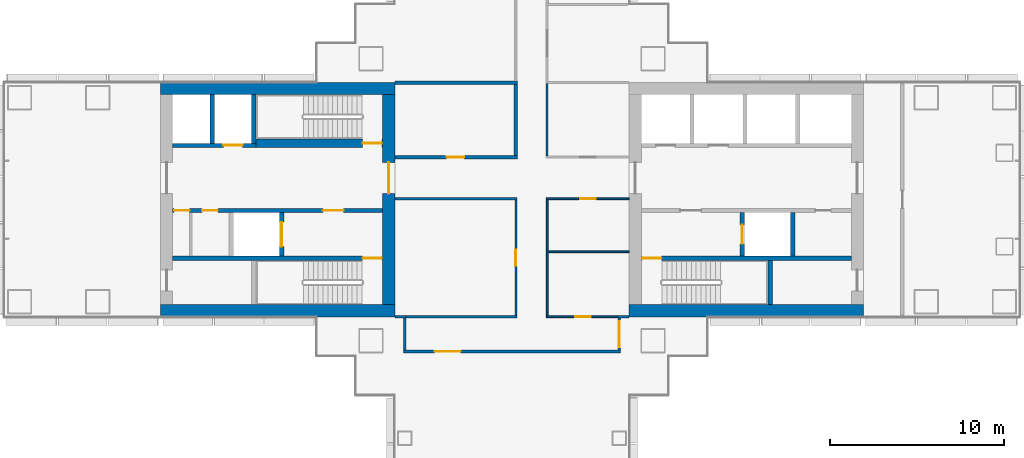
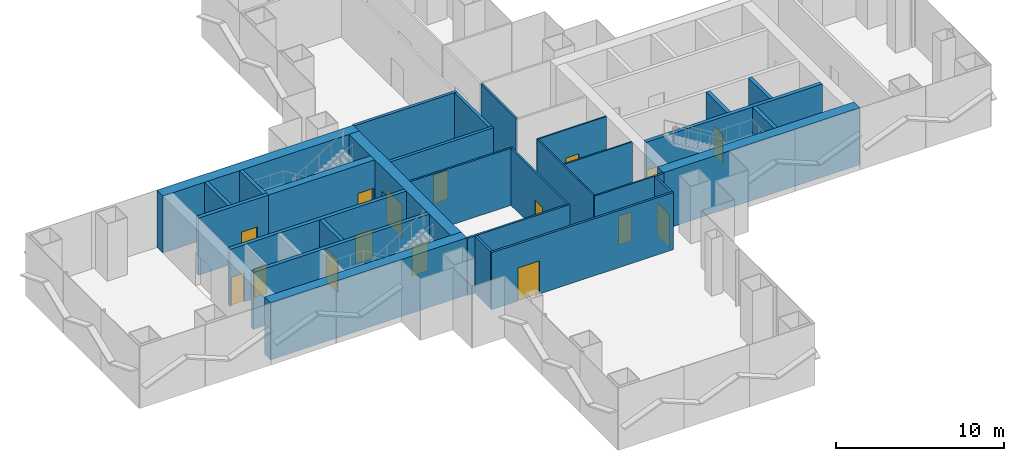
# One storey, part 14 of 22: 31 walls, 16 doors, 16 openings.
"""IFC4 building model written with IfcOpenShell, lengths in metres."""

from ifc_helpers import new_model, si_unit, direction, frame, frame_2d, origin, place, context, subcontext, project, spatial, rectangle, extrude, material, layer, layer_set, type_object, element, fill, save


model = new_model("IFC4")

# Units and contexts
model_context = context("Model", 3, precision=1e-05, world=origin(), true_north=direction((0.0, 1.0)))
body_context = subcontext(model_context, "Body", "Model", "MODEL_VIEW")
ifc_project = project(units=[si_unit("LENGTHUNIT", "METRE"), si_unit("AREAUNIT", "SQUARE_METRE"), si_unit("VOLUMEUNIT", "CUBIC_METRE"), si_unit("PLANEANGLEUNIT", "RADIAN"), si_unit("MASSUNIT", "GRAM", prefix="KILO")], contexts=[model_context])

# Site, building, storey
site_placement = place(None, origin())
site = spatial("IfcSite", under=ifc_project, at=site_placement, CompositionType="ELEMENT")
building_placement = place(site_placement, origin())
building = spatial("IfcBuilding", under=site, at=building_placement, Name="Shamsa Quay Exchange Towers", CompositionType="ELEMENT")
storey_placement = place(building_placement, frame((0.0, 0.0, 37.5)))
storey = spatial("IfcBuildingStorey", under=building, at=storey_placement, Name="L07", CompositionType="ELEMENT", Elevation=37.5)

# Walls
ifc_material_1 = material(Name="Concrete C80/95", Category="concrete")
ifc_layer_1 = layer(ifc_material_1, 0.699951171875)
ifc_layer_set_1 = layer_set([ifc_layer_1], Name="CORE WALL 700 C80/95")
wall_type_1 = type_object("IfcWallType", Name="CORE WALL 700 C80/95", PredefinedType="SHEAR", material=ifc_layer_set_1)
wall_1_placement = place(storey_placement, frame((-27.0, -6.39990234375, 0.0)))
element("IfcWall", 1, at=wall_1_placement, inside=storey, type_object=wall_type_1, Name="Core wall T1A-R02-PS", PredefinedType="SHEAR", context=body_context, shape_type="SweptSolid", body=[
    extrude(rectangle(XDim=13.5, YDim=0.699951171875, at=frame_2d((6.75, 0.0))), origin(), (0.0, 0.0, 1.0), 4.14990234375),
])
for number, where, z_axis, x_axis, name in (
    (2, (-40.5, -6.39990234375, 0.0), (0.0, 0.0, 1.0), (-1.0, 0.0, 0.0), "Core wall T1B-R02-PS"),
    (3, (-40.5, 6.39990234375, 0.0), (0.0, 0.0, 1.0), (-1.0, 0.0, 0.0), "Core wall T1B-R02-PN"),
):
    element("IfcWall", number, at=place(storey_placement, frame(where, z_axis=z_axis, x_axis=x_axis)), inside=storey, type_object=wall_type_1, Name=name, PredefinedType="SHEAR", context=body_context, shape_type="SweptSolid", body=[
        extrude(rectangle(XDim=13.5, YDim=0.699951171875, at=frame_2d((6.75, 0.0))), origin(), (0.0, 0.0, 1.0), 4.14990234375),
    ])

# Wall, opening, door
wall_2_placement = place(storey_placement, frame((-40.85009765625, -6.050048828125, 0.0), z_axis=(0.0, 0.0, 1.0), x_axis=(0.0, 1.0, 0.0)))
wall_2 = element("IfcWall", 4, at=wall_2_placement, inside=storey, type_object=wall_type_1, Name="Core wall T1B-R02-PF", PredefinedType="SHEAR", context=body_context, shape_type="SweptSolid", body=[
    extrude(rectangle(XDim=12.10009765625, YDim=0.699951171875, at=frame_2d((6.050048828125, 0.0))), origin(), (0.0, 0.0, 1.0), 4.14990234375),
])
opening_1_placement = place(wall_2_placement, frame((6.39990234375, 0.0, 0.0)))
opening_1 = element("IfcOpeningElement", 5, at=opening_1_placement, cuts=wall_2, Name="Opening T1B-R02-LBD01", PredefinedType="OPENING", context=body_context, shape_type="SweptSolid", body=[
    extrude(rectangle(XDim=1.800048828125, YDim=2.39990234375, at=frame_2d((0.89990234375, 1.199951171875))), frame((0.0, 0.35986328125, 0.0), z_axis=(0.0, -1.0, 0.0), x_axis=(1.0, 0.0, 0.0)), (0.0, 0.0, 1.0), 0.719970703125),
])
ifc_material_2 = material(Name="Steel, fire rated", Category="steel")
door_type_1 = type_object("IfcDoorType", Name="LIFT LOBBY DOOR PAIR 1800", OperationType="DOUBLE_DOOR_SINGLE_SWING", PredefinedType="DOOR", material=ifc_material_2)
door_1_placement = place(opening_1_placement, origin())
door_1 = element("IfcDoor", 6, at=door_1_placement, inside=storey, type_object=door_type_1, Name="T1B-R02-LBD01", OperationType="DOUBLE_DOOR_SINGLE_SWING", OverallHeight=2.39990234375, OverallWidth=1.800048828125, PredefinedType="DOOR", context=body_context, shape_type="SweptSolid", body=[
    extrude(rectangle(XDim=1.800048828125, YDim=2.39990234375, at=frame_2d((0.89990234375, 1.199951171875))), frame((0.0, 0.02490234375, 0.0), z_axis=(0.0, -1.0, 0.0), x_axis=(1.0, 0.0, 0.0)), (0.0, 0.0, 1.0), 0.050048828125),
])
fill(opening_1, door_1)

# Walls
ifc_material_3 = material(Name="Laminated fire-resisting glass in a metal frame", Category="glass")
ifc_layer_2 = layer(ifc_material_3, 0.125)
ifc_layer_set_2 = layer_set([ifc_layer_2], Name="Glazed partition 125 mm EI 60")
wall_type_2 = type_object("IfcWallType", Name="Glazed partition 125 mm EI 60", PredefinedType="PARTITIONING", material=ifc_layer_set_2)
wall_3_placement = place(storey_placement, frame((-31.724609375, 6.6875, 0.0), z_axis=(0.0, 0.0, 1.0), x_axis=(0.0, -1.0, 0.0)))
element("IfcWall", 7, at=wall_3_placement, inside=storey, type_object=wall_type_2, Name="Partition T1-R02-W02", PredefinedType="PARTITIONING", context=body_context, shape_type="SweptSolid", body=[
    extrude(rectangle(XDim=4.1748046875, YDim=0.125, at=frame_2d((2.08740234375, 0.0))), origin(), (0.0, 0.0, 1.0), 4.14990234375),
])
wall_4_placement = place(storey_placement, frame((-39.999755859375, -6.75, 0.0)))
element("IfcWall", 8, at=wall_4_placement, inside=storey, type_object=wall_type_2, Name="Partition T1-R02-W09", PredefinedType="PARTITIONING", context=body_context, shape_type="SweptSolid", body=[
    extrude(rectangle(XDim=6.536865234375, YDim=0.125, at=frame_2d((3.2685546875, 0.0))), origin(), (0.0, 0.0, 1.0), 4.14990234375),
])

# Wall, opening, door
wall_5_placement = place(storey_placement, frame((-33.525390625, -6.6875, 0.0), z_axis=(0.0, 0.0, 1.0), x_axis=(0.0, 1.0, 0.0)))
wall_5 = element("IfcWall", 9, at=wall_5_placement, inside=storey, type_object=wall_type_2, Name="Partition T1-R02-W10", PredefinedType="PARTITIONING", context=body_context, shape_type="SweptSolid", body=[
    extrude(rectangle(XDim=6.6748046875, YDim=0.125, at=frame_2d((3.33740234375, 0.0))), origin(), (0.0, 0.0, 1.0), 4.14990234375),
])
opening_2_placement = place(wall_5_placement, frame((2.887451171875, 0.0, 0.0)))
opening_2 = element("IfcOpeningElement", 10, at=opening_2_placement, cuts=wall_5, Name="Opening T1-R02-D03", PredefinedType="OPENING", context=body_context, shape_type="SweptSolid", body=[
    extrude(rectangle(XDim=0.89990234375, YDim=2.10009765625, at=frame_2d((0.449951171875, 1.050048828125))), frame((0.0, 0.072509765625, 0.0), z_axis=(0.0, -1.0, 0.0), x_axis=(1.0, 0.0, 0.0)), (0.0, 0.0, 1.0), 0.14501953125),
])
ifc_material_4 = material(Name="Timber door leaf in a metal frame", Category="wood")
door_type_2 = type_object("IfcDoorType", Name="Door 900x2100 FD30S", OperationType="NOTDEFINED", PredefinedType="DOOR", material=ifc_material_4)
door_2_placement = place(opening_2_placement, origin())
door_2 = element("IfcDoor", 11, at=door_2_placement, inside=storey, type_object=door_type_2, Name="Door T1-R02-D03", OperationType="SINGLE_SWING_RIGHT", OverallHeight=2.10009765625, OverallWidth=0.89990234375, PredefinedType="DOOR", context=body_context, shape_type="SweptSolid", body=[
    extrude(rectangle(XDim=0.89990234375, YDim=2.10009765625, at=frame_2d((0.449951171875, 1.050048828125))), frame((0.0, 0.02490234375, 0.0), z_axis=(0.0, -1.0, 0.0), x_axis=(1.0, 0.0, 0.0)), (0.0, 0.0, 1.0), 0.050048828125),
])
fill(opening_2, door_2)

# Walls
wall_6_placement = place(storey_placement, frame((-33.462890625, 0.0498046875, 0.0), z_axis=(0.0, 0.0, 1.0), x_axis=(-1.0, 0.0, 0.0)))
element("IfcWall", 12, at=wall_6_placement, inside=storey, type_object=wall_type_2, Name="Partition T1-R02-W12", PredefinedType="PARTITIONING", context=body_context, shape_type="SweptSolid", body=[
    extrude(rectangle(XDim=7.037109375, YDim=0.125, at=frame_2d((3.5185546875, 0.0))), origin(), (0.0, 0.0, 1.0), 4.14990234375),
])
ifc_material_5 = material(Name="Gypsum board partition on metal studs")
ifc_layer_3 = layer(ifc_material_5, 0.10009765625)
ifc_layer_set_3 = layer_set([ifc_layer_3], Name="Partition 100 mm NOT RATED")
wall_type_3 = type_object("IfcWallType", Name="Partition 100 mm NOT RATED", PredefinedType="PARTITIONING", material=ifc_layer_set_3)
wall_7_placement = place(storey_placement, frame((-31.724609375, -0.000244140625, 0.0), z_axis=(0.0, 0.0, 1.0), x_axis=(0.0, -1.0, 0.0)))
element("IfcWall", 13, at=wall_7_placement, inside=storey, type_object=wall_type_3, Name="Partition T1-R02-W04", PredefinedType="PARTITIONING", context=body_context, shape_type="SweptSolid", body=[
    extrude(rectangle(XDim=6.69970703125, YDim=0.10009765625, at=frame_2d((3.349853515625, 0.0))), origin(), (0.0, 0.0, 1.0), 4.14990234375),
])

# Wall, opening, door
wall_8_placement = place(storey_placement, frame((-31.774658203125, -6.75, 0.0)))
wall_8 = element("IfcWall", 14, at=wall_8_placement, inside=storey, type_object=wall_type_3, Name="Partition T1-R02-W05", PredefinedType="PARTITIONING", context=body_context, shape_type="SweptSolid", body=[
    extrude(rectangle(XDim=4.2744140625, YDim=0.10009765625, at=frame_2d((2.13720703125, 0.0))), origin(), (0.0, 0.0, 1.0), 4.14990234375),
])
opening_3_placement = place(wall_8_placement, frame((1.6748046875, 0.0, 0.0)))
opening_3 = element("IfcOpeningElement", 15, at=opening_3_placement, cuts=wall_8, Name="Opening T1-R02-D06", PredefinedType="OPENING", context=body_context, shape_type="SweptSolid", body=[
    extrude(rectangle(XDim=0.89990234375, YDim=2.10009765625, at=frame_2d((0.449951171875, 1.050048828125))), frame((0.0, 0.06005859375, 0.0), z_axis=(0.0, -1.0, 0.0), x_axis=(1.0, 0.0, 0.0)), (0.0, 0.0, 1.0), 0.1201171875),
])
door_type_3 = type_object("IfcDoorType", Name="Door 900x2100 NOT RATED", OperationType="NOTDEFINED", PredefinedType="DOOR", material=ifc_material_4)
door_3_placement = place(opening_3_placement, origin())
door_3 = element("IfcDoor", 16, at=door_3_placement, inside=storey, type_object=door_type_3, Name="Door T1-R02-D06", OperationType="SINGLE_SWING_RIGHT", OverallHeight=2.10009765625, OverallWidth=0.89990234375, PredefinedType="DOOR", context=body_context, shape_type="SweptSolid", body=[
    extrude(rectangle(XDim=0.89990234375, YDim=2.10009765625, at=frame_2d((0.449951171875, 1.050048828125))), frame((0.0, 0.02490234375, 0.0), z_axis=(0.0, -1.0, 0.0), x_axis=(1.0, 0.0, 0.0)), (0.0, 0.0, 1.0), 0.050048828125),
])
fill(opening_3, door_3)

wall_9_placement = place(storey_placement, frame((-27.0, 0.0498046875, 0.0), z_axis=(0.0, 0.0, 1.0), x_axis=(-1.0, 0.0, 0.0)))
wall_9 = element("IfcWall", 17, at=wall_9_placement, inside=storey, type_object=wall_type_3, Name="Partition T1-R02-W06", PredefinedType="PARTITIONING", context=body_context, shape_type="SweptSolid", body=[
    extrude(rectangle(XDim=4.774658203125, YDim=0.10009765625, at=frame_2d((2.38720703125, 0.0))), origin(), (0.0, 0.0, 1.0), 4.14990234375),
])
opening_4_placement = place(wall_9_placement, frame((1.912353515625, 0.0, 0.0)))
opening_4 = element("IfcOpeningElement", 18, at=opening_4_placement, cuts=wall_9, Name="Opening T1-R02-D11", PredefinedType="OPENING", context=body_context, shape_type="SweptSolid", body=[
    extrude(rectangle(XDim=0.89990234375, YDim=2.10009765625, at=frame_2d((0.449951171875, 1.050048828125))), frame((0.0, 0.06005859375, 0.0), z_axis=(0.0, -1.0, 0.0), x_axis=(1.0, 0.0, 0.0)), (0.0, 0.0, 1.0), 0.1201171875),
])
door_4_placement = place(opening_4_placement, origin())
door_4 = element("IfcDoor", 19, at=door_4_placement, inside=storey, type_object=door_type_3, Name="Door T1-R02-D11", OperationType="SINGLE_SWING_LEFT", OverallHeight=2.10009765625, OverallWidth=0.89990234375, PredefinedType="DOOR", context=body_context, shape_type="SweptSolid", body=[
    extrude(rectangle(XDim=0.89990234375, YDim=2.10009765625, at=frame_2d((0.449951171875, 1.050048828125))), frame((0.0, 0.02490234375, 0.0), z_axis=(0.0, -1.0, 0.0), x_axis=(1.0, 0.0, 0.0)), (0.0, 0.0, 1.0), 0.050048828125),
])
fill(opening_4, door_4)

# Wall
wall_10_placement = place(storey_placement, frame((-27.0, -3.0, 0.0), z_axis=(0.0, 0.0, 1.0), x_axis=(-1.0, 0.0, 0.0)))
element("IfcWall", 20, at=wall_10_placement, inside=storey, type_object=wall_type_3, Name="Partition T1-R02-W20", PredefinedType="PARTITIONING", context=body_context, shape_type="SweptSolid", body=[
    extrude(rectangle(XDim=4.674560546875, YDim=0.10009765625, at=frame_2d((2.33740234375, 0.0))), origin(), (0.0, 0.0, 1.0), 4.14990234375),
])

# Wall, opening, door
ifc_layer_4 = layer(ifc_material_5, 0.14990234375)
ifc_layer_set_4 = layer_set([ifc_layer_4], Name="Partition 150 mm EI 60")
wall_type_4 = type_object("IfcWallType", Name="Partition 150 mm EI 60", PredefinedType="PARTITIONING", material=ifc_layer_set_4)
wall_11_placement = place(storey_placement, frame((-27.5751953125, -8.675048828125, 0.0), z_axis=(0.0, 0.0, 1.0), x_axis=(0.0, 1.0, 0.0)))
wall_11 = element("IfcWall", 21, at=wall_11_placement, inside=storey, type_object=wall_type_4, Name="Partition T1-R02-W15", PredefinedType="PARTITIONING", context=body_context, shape_type="SweptSolid", body=[
    extrude(rectangle(XDim=1.85009765625, YDim=0.14990234375, at=frame_2d((0.925048828125, 0.0))), origin(), (0.0, 0.0, 1.0), 4.14990234375),
])
opening_5_placement = place(wall_11_placement, frame((0.175048828125, 0.0, 0.0)))
opening_5 = element("IfcOpeningElement", 22, at=opening_5_placement, cuts=wall_11, Name="Opening T1-R02-D10", PredefinedType="OPENING", context=body_context, shape_type="SweptSolid", body=[
    extrude(rectangle(XDim=1.5, YDim=2.39990234375, at=frame_2d((0.75, 1.199951171875))), frame((0.0, 0.0849609375, 0.0), z_axis=(0.0, -1.0, 0.0), x_axis=(1.0, 0.0, 0.0)), (0.0, 0.0, 1.0), 0.169921875),
])
door_type_4 = type_object("IfcDoorType", Name="Door 1500x2400 FD30S pair", OperationType="NOTDEFINED", PredefinedType="DOOR", material=ifc_material_4)
door_5_placement = place(opening_5_placement, origin())
door_5 = element("IfcDoor", 23, at=door_5_placement, inside=storey, type_object=door_type_4, Name="Door T1-R02-D10", OperationType="DOUBLE_DOOR_SINGLE_SWING", OverallHeight=2.39990234375, OverallWidth=1.5, PredefinedType="DOOR", context=body_context, shape_type="SweptSolid", body=[
    extrude(rectangle(XDim=1.5, YDim=2.39990234375, at=frame_2d((0.75, 1.199951171875))), frame((0.0, 0.02490234375, 0.0), z_axis=(0.0, -1.0, 0.0), x_axis=(1.0, 0.0, 0.0)), (0.0, 0.0, 1.0), 0.050048828125),
])
fill(opening_5, door_5)

wall_12_placement = place(storey_placement, frame((-39.999755859375, -8.75, 0.0)))
wall_12 = element("IfcWall", 24, at=wall_12_placement, inside=storey, type_object=wall_type_4, Name="Partition T1-R02-W16", PredefinedType="PARTITIONING", context=body_context, shape_type="SweptSolid", body=[
    extrude(rectangle(XDim=12.49951171875, YDim=0.14990234375, at=frame_2d((6.249755859375, 0.0))), origin(), (0.0, 0.0, 1.0), 4.14990234375),
])
opening_6_placement = place(wall_12_placement, frame((1.794921875, 0.0, 0.0)))
opening_6 = element("IfcOpeningElement", 25, at=opening_6_placement, cuts=wall_12, Name="Opening T1-R02-D02", PredefinedType="OPENING", context=body_context, shape_type="SweptSolid", body=[
    extrude(rectangle(XDim=1.5, YDim=2.39990234375, at=frame_2d((0.75, 1.199951171875))), frame((0.0, 0.0849609375, 0.0), z_axis=(0.0, -1.0, 0.0), x_axis=(1.0, 0.0, 0.0)), (0.0, 0.0, 1.0), 0.169921875),
])
door_6_placement = place(opening_6_placement, origin())
door_6 = element("IfcDoor", 26, at=door_6_placement, inside=storey, type_object=door_type_4, Name="Door T1-R02-D02", OperationType="DOUBLE_DOOR_SINGLE_SWING", OverallHeight=2.39990234375, OverallWidth=1.5, PredefinedType="DOOR", context=body_context, shape_type="SweptSolid", body=[
    extrude(rectangle(XDim=1.5, YDim=2.39990234375, at=frame_2d((0.75, 1.199951171875))), frame((0.0, 0.02490234375, 0.0), z_axis=(0.0, -1.0, 0.0), x_axis=(1.0, 0.0, 0.0)), (0.0, 0.0, 1.0), 0.050048828125),
])
fill(opening_6, door_6)

# Walls
wall_13_placement = place(storey_placement, frame((-39.9248046875, -6.824951171875, 0.0), z_axis=(0.0, 0.0, 1.0), x_axis=(0.0, -1.0, 0.0)))
element("IfcWall", 27, at=wall_13_placement, inside=storey, type_object=wall_type_4, Name="Partition T1-R02-W17", PredefinedType="PARTITIONING", context=body_context, shape_type="SweptSolid", body=[
    extrude(rectangle(XDim=1.85009765625, YDim=0.14990234375, at=frame_2d((0.925048828125, 0.0))), origin(), (0.0, 0.0, 1.0), 4.14990234375),
])
for number, where, name in (
    (28, (-40.5, -6.75, 0.0), "Partition T1-R02-W21"),
    (29, (-27.650146484375, -6.75, 0.0), "Partition T1-R02-W22"),
):
    element("IfcWall", number, at=place(storey_placement, frame(where)), inside=storey, type_object=wall_type_4, Name=name, PredefinedType="PARTITIONING", context=body_context, shape_type="SweptSolid", body=[
        extrude(rectangle(XDim=0.650146484375, YDim=0.14990234375, at=frame_2d((0.3251953125, 0.0))), origin(), (0.0, 0.0, 1.0), 4.14990234375),
    ])

# Wall, opening, door
ifc_layer_5 = layer(ifc_material_5, 0.199951171875)
ifc_layer_set_5 = layer_set([ifc_layer_5], Name="Partition 200 mm EI 120")
wall_type_5 = type_object("IfcWallType", Name="Partition 200 mm EI 120", PredefinedType="PARTITIONING", material=ifc_layer_set_5)
wall_14_placement = place(storey_placement, frame((-40.5, 2.4501953125, 0.0)))
wall_14 = element("IfcWall", 30, at=wall_14_placement, inside=storey, type_object=wall_type_5, Name="Partition T1-R02-W07", PredefinedType="PARTITIONING", context=body_context, shape_type="SweptSolid", body=[
    extrude(rectangle(XDim=7.07470703125, YDim=0.199951171875, at=frame_2d((3.537353515625, 0.0))), origin(), (0.0, 0.0, 1.0), 4.14990234375),
])
opening_7_placement = place(wall_14_placement, frame((2.9873046875, 0.0, 0.0)))
opening_7 = element("IfcOpeningElement", 31, at=opening_7_placement, cuts=wall_14, Name="Opening T1-R02-D01", PredefinedType="OPENING", context=body_context, shape_type="SweptSolid", body=[
    extrude(rectangle(XDim=1.0, YDim=2.10009765625, at=frame_2d((0.5, 1.050048828125))), frame((0.0, 0.10986328125, 0.0), z_axis=(0.0, -1.0, 0.0), x_axis=(1.0, 0.0, 0.0)), (0.0, 0.0, 1.0), 0.219970703125),
])
door_type_5 = type_object("IfcDoorType", Name="Door 1000x2100 FD60", OperationType="NOTDEFINED", PredefinedType="DOOR", material=ifc_material_4)
door_7_placement = place(opening_7_placement, origin())
door_7 = element("IfcDoor", 32, at=door_7_placement, inside=storey, type_object=door_type_5, Name="Door T1-R02-D01", OperationType="SINGLE_SWING_LEFT", OverallHeight=2.10009765625, OverallWidth=1.0, PredefinedType="DOOR", context=body_context, shape_type="SweptSolid", body=[
    extrude(rectangle(XDim=1.0, YDim=2.10009765625, at=frame_2d((0.5, 1.050048828125))), frame((0.0, 0.02490234375, 0.0), z_axis=(0.0, -1.0, 0.0), x_axis=(1.0, 0.0, 0.0)), (0.0, 0.0, 1.0), 0.050048828125),
])
fill(opening_7, door_7)

# Walls
wall_15_placement = place(storey_placement, frame((-33.525390625, 2.55029296875, 0.0), z_axis=(0.0, 0.0, 1.0), x_axis=(0.0, 1.0, 0.0)))
element("IfcWall", 33, at=wall_15_placement, inside=storey, type_object=wall_type_5, Name="Partition T1-R02-W08", PredefinedType="PARTITIONING", context=body_context, shape_type="SweptSolid", body=[
    extrude(rectangle(XDim=4.099609375, YDim=0.199951171875, at=frame_2d((2.0498046875, 0.0))), origin(), (0.0, 0.0, 1.0), 4.14990234375),
])
wall_16_placement = place(storey_placement, frame((-33.42529296875, 6.75, 0.0), z_axis=(0.0, 0.0, 1.0), x_axis=(-1.0, 0.0, 0.0)))
element("IfcWall", 34, at=wall_16_placement, inside=storey, type_object=wall_type_5, Name="Partition T1-R02-W23", PredefinedType="PARTITIONING", context=body_context, shape_type="SweptSolid", body=[
    extrude(rectangle(XDim=7.07470703125, YDim=0.199951171875, at=frame_2d((3.537353515625, 0.0))), origin(), (0.0, 0.0, 1.0), 4.14990234375),
])

# Wall, opening, door
ifc_material_6 = material(Name="Concrete C50/60", Category="concrete")
ifc_layer_6 = layer(ifc_material_6, 0.25)
ifc_layer_set_6 = layer_set([ifc_layer_6], Name="SHAFT WALL 250 C50/60")
wall_type_6 = type_object("IfcWallType", Name="SHAFT WALL 250 C50/60", PredefinedType="SHEAR", material=ifc_layer_set_6)
wall_17_placement = place(storey_placement, frame((-14.199951171875, -3.375, 0.0), z_axis=(0.0, 0.0, 1.0), x_axis=(-1.0, 0.0, 0.0)))
wall_17 = element("IfcWall", 35, at=wall_17_placement, inside=storey, type_object=wall_type_6, Name="Shaft wall T1A-R02-STL", PredefinedType="SHEAR", context=body_context, shape_type="SweptSolid", body=[
    extrude(rectangle(XDim=12.10009765625, YDim=0.25, at=frame_2d((6.050048828125, 0.0))), origin(), (0.0, 0.0, 1.0), 4.14990234375),
])
opening_8_placement = place(wall_17_placement, frame((10.949951171875, 0.0, 0.0)))
opening_8 = element("IfcOpeningElement", 36, at=opening_8_placement, cuts=wall_17, Name="Opening T1A-R02-SD04", PredefinedType="OPENING", context=body_context, shape_type="SweptSolid", body=[
    extrude(rectangle(XDim=1.10009765625, YDim=2.10009765625, at=frame_2d((0.550048828125, 1.050048828125))), frame((0.0, 0.135009765625, 0.0), z_axis=(0.0, -1.0, 0.0), x_axis=(1.0, 0.0, 0.0)), (0.0, 0.0, 1.0), 0.27001953125),
])
door_type_6 = type_object("IfcDoorType", Name="STAIR DOOR 1100", OperationType="SINGLE_SWING_LEFT", PredefinedType="DOOR", material=ifc_material_2)
door_8_placement = place(opening_8_placement, origin())
door_8 = element("IfcDoor", 37, at=door_8_placement, inside=storey, type_object=door_type_6, Name="T1A-R02-SD04", OperationType="SINGLE_SWING_RIGHT", OverallHeight=2.10009765625, OverallWidth=1.10009765625, PredefinedType="DOOR", context=body_context, shape_type="SweptSolid", body=[
    extrude(rectangle(XDim=1.10009765625, YDim=2.10009765625, at=frame_2d((0.550048828125, 1.050048828125))), frame((0.0, 0.02490234375, 0.0), z_axis=(0.0, -1.0, 0.0), x_axis=(1.0, 0.0, 0.0)), (0.0, 0.0, 1.0), 0.050048828125),
])
fill(opening_8, door_8)

# Wall
wall_18_placement = place(storey_placement, frame((-18.875, -6.050048828125, 0.0), z_axis=(0.0, 0.0, 1.0), x_axis=(0.0, 1.0, 0.0)))
element("IfcWall", 38, at=wall_18_placement, inside=storey, type_object=wall_type_6, Name="Shaft wall T1A-R02-STF", PredefinedType="SHEAR", context=body_context, shape_type="SweptSolid", body=[
    extrude(rectangle(XDim=2.550048828125, YDim=0.25, at=frame_2d((1.27490234375, 0.0))), origin(), (0.0, 0.0, 1.0), 4.14990234375),
])

# Wall, opening, door
wall_19_placement = place(storey_placement, frame((-20.47509765625, -3.25, 0.0), z_axis=(0.0, 0.0, 1.0), x_axis=(0.0, 1.0, 0.0)))
wall_19 = element("IfcWall", 39, at=wall_19_placement, inside=storey, type_object=wall_type_6, Name="Shaft wall T1A-R02-FFF", PredefinedType="SHEAR", context=body_context, shape_type="SweptSolid", body=[
    extrude(rectangle(XDim=2.5, YDim=0.25, at=frame_2d((1.25, 0.0))), origin(), (0.0, 0.0, 1.0), 4.14990234375),
])
opening_9_placement = place(wall_19_placement, frame((0.699951171875, 0.0, 0.0)))
opening_9 = element("IfcOpeningElement", 40, at=opening_9_placement, cuts=wall_19, Name="Opening T1A-R02-LDF07", PredefinedType="OPENING", context=body_context, shape_type="SweptSolid", body=[
    extrude(rectangle(XDim=1.10009765625, YDim=2.10009765625, at=frame_2d((0.550048828125, 1.050048828125))), frame((0.0, 0.135009765625, 0.0), z_axis=(0.0, -1.0, 0.0), x_axis=(1.0, 0.0, 0.0)), (0.0, 0.0, 1.0), 0.27001953125),
])
door_type_7 = type_object("IfcDoorType", Name="FIRE SERVICE LANDING DOOR 1100", OperationType="SLIDING_TO_LEFT", PredefinedType="DOOR", material=ifc_material_2)
door_9_placement = place(opening_9_placement, origin())
door_9 = element("IfcDoor", 41, at=door_9_placement, inside=storey, type_object=door_type_7, Name="T1A-R02-LDF07", OperationType="SLIDING_TO_LEFT", OverallHeight=2.10009765625, OverallWidth=1.10009765625, PredefinedType="DOOR", context=body_context, shape_type="SweptSolid", body=[
    extrude(rectangle(XDim=1.10009765625, YDim=2.10009765625, at=frame_2d((0.550048828125, 1.050048828125))), frame((0.0, 0.02490234375, 0.0), z_axis=(0.0, -1.0, 0.0), x_axis=(1.0, 0.0, 0.0)), (0.0, 0.0, 1.0), 0.050048828125),
])
fill(opening_9, door_9)

# Wall
wall_20_placement = place(storey_placement, frame((-17.574951171875, -3.25, 0.0), z_axis=(0.0, 0.0, 1.0), x_axis=(0.0, 1.0, 0.0)))
element("IfcWall", 42, at=wall_20_placement, inside=storey, type_object=wall_type_6, Name="Shaft wall T1A-R02-FFB", PredefinedType="SHEAR", context=body_context, shape_type="SweptSolid", body=[
    extrude(rectangle(XDim=2.5, YDim=0.25, at=frame_2d((1.25, 0.0))), origin(), (0.0, 0.0, 1.0), 4.14990234375),
])

# Wall, opening, door
wall_21_placement = place(storey_placement, frame((-41.199951171875, -3.375, 0.0), z_axis=(0.0, 0.0, 1.0), x_axis=(-1.0, 0.0, 0.0)))
wall_21 = element("IfcWall", 43, at=wall_21_placement, inside=storey, type_object=wall_type_6, Name="Shaft wall T1B-R02-STL", PredefinedType="SHEAR", context=body_context, shape_type="SweptSolid", body=[
    extrude(rectangle(XDim=12.10009765625, YDim=0.25, at=frame_2d((6.050048828125, 0.0))), origin(), (0.0, 0.0, 1.0), 4.14990234375),
])
opening_10_placement = place(wall_21_placement, frame((0.050048828125, 0.0, 0.0)))
opening_10 = element("IfcOpeningElement", 44, at=opening_10_placement, cuts=wall_21, Name="Opening T1B-R02-SD04", PredefinedType="OPENING", context=body_context, shape_type="SweptSolid", body=[
    extrude(rectangle(XDim=1.10009765625, YDim=2.10009765625, at=frame_2d((0.550048828125, 1.050048828125))), frame((0.0, 0.135009765625, 0.0), z_axis=(0.0, -1.0, 0.0), x_axis=(1.0, 0.0, 0.0)), (0.0, 0.0, 1.0), 0.27001953125),
])
door_10_placement = place(opening_10_placement, origin())
door_10 = element("IfcDoor", 45, at=door_10_placement, inside=storey, type_object=door_type_6, Name="T1B-R02-SD04", OperationType="SINGLE_SWING_LEFT", OverallHeight=2.10009765625, OverallWidth=1.10009765625, PredefinedType="DOOR", context=body_context, shape_type="SweptSolid", body=[
    extrude(rectangle(XDim=1.10009765625, YDim=2.10009765625, at=frame_2d((0.550048828125, 1.050048828125))), frame((0.0, 0.02490234375, 0.0), z_axis=(0.0, -1.0, 0.0), x_axis=(1.0, 0.0, 0.0)), (0.0, 0.0, 1.0), 0.050048828125),
])
fill(opening_10, door_10)

# Wall, openings, doors
wall_22_placement = place(storey_placement, frame((-41.199951171875, -0.625, 0.0), z_axis=(0.0, 0.0, 1.0), x_axis=(-1.0, 0.0, 0.0)))
wall_22 = element("IfcWall", 46, at=wall_22_placement, inside=storey, type_object=wall_type_6, Name="Shaft wall T1B-R02-B", PredefinedType="SHEAR", context=body_context, shape_type="SweptSolid", body=[
    extrude(rectangle(XDim=12.10009765625, YDim=0.25, at=frame_2d((6.050048828125, 0.0))), origin(), (0.0, 0.0, 1.0), 4.14990234375),
])
opening_11_placement = place(wall_22_placement, frame((2.25, 0.0, 0.0)))
opening_11 = element("IfcOpeningElement", 47, at=opening_11_placement, cuts=wall_22, Name="Opening T1B-R02-FD05", PredefinedType="OPENING", context=body_context, shape_type="SweptSolid", body=[
    extrude(rectangle(XDim=1.199951171875, YDim=2.10009765625, at=frame_2d((0.60009765625, 1.050048828125))), frame((0.0, 0.135009765625, 0.0), z_axis=(0.0, -1.0, 0.0), x_axis=(1.0, 0.0, 0.0)), (0.0, 0.0, 1.0), 0.27001953125),
])
opening_12_placement = place(wall_22_placement, frame((9.5, 0.0, 0.0)))
opening_12 = element("IfcOpeningElement", 48, at=opening_12_placement, cuts=wall_22, Name="Opening T1B-R02-SV06", PredefinedType="OPENING", context=body_context, shape_type="SweptSolid", body=[
    extrude(rectangle(XDim=0.89990234375, YDim=2.10009765625, at=frame_2d((0.449951171875, 1.050048828125))), frame((0.0, 0.135009765625, 0.0), z_axis=(0.0, -1.0, 0.0), x_axis=(1.0, 0.0, 0.0)), (0.0, 0.0, 1.0), 0.27001953125),
])
opening_13_placement = place(wall_22_placement, frame((11.125, 0.0, 0.0)))
opening_13 = element("IfcOpeningElement", 49, at=opening_13_placement, cuts=wall_22, Name="Opening T1B-R02-SV07", PredefinedType="OPENING", context=body_context, shape_type="SweptSolid", body=[
    extrude(rectangle(XDim=0.89990234375, YDim=2.10009765625, at=frame_2d((0.449951171875, 1.050048828125))), frame((0.0, 0.135009765625, 0.0), z_axis=(0.0, -1.0, 0.0), x_axis=(1.0, 0.0, 0.0)), (0.0, 0.0, 1.0), 0.27001953125),
])
door_type_8 = type_object("IfcDoorType", Name="FIRE SERVICE LOBBY DOOR 1200", OperationType="SINGLE_SWING_LEFT", PredefinedType="DOOR", material=ifc_material_2)
door_11_placement = place(opening_11_placement, origin())
door_11 = element("IfcDoor", 50, at=door_11_placement, inside=storey, type_object=door_type_8, Name="T1B-R02-FD05", OperationType="SINGLE_SWING_LEFT", OverallHeight=2.10009765625, OverallWidth=1.199951171875, PredefinedType="DOOR", context=body_context, shape_type="SweptSolid", body=[
    extrude(rectangle(XDim=1.199951171875, YDim=2.10009765625, at=frame_2d((0.60009765625, 1.050048828125))), frame((0.0, 0.02490234375, 0.0), z_axis=(0.0, -1.0, 0.0), x_axis=(1.0, 0.0, 0.0)), (0.0, 0.0, 1.0), 0.050048828125),
])
fill(opening_11, door_11)
door_type_9 = type_object("IfcDoorType", Name="SERVICE ROOM DOOR 900", OperationType="SINGLE_SWING_LEFT", PredefinedType="DOOR", material=ifc_material_2)
door_12_placement = place(opening_12_placement, origin())
door_12 = element("IfcDoor", 51, at=door_12_placement, inside=storey, type_object=door_type_9, Name="T1B-R02-SV06", OperationType="SINGLE_SWING_RIGHT", OverallHeight=2.10009765625, OverallWidth=0.89990234375, PredefinedType="DOOR", context=body_context, shape_type="SweptSolid", body=[
    extrude(rectangle(XDim=0.89990234375, YDim=2.10009765625, at=frame_2d((0.449951171875, 1.050048828125))), frame((0.0, 0.02490234375, 0.0), z_axis=(0.0, -1.0, 0.0), x_axis=(1.0, 0.0, 0.0)), (0.0, 0.0, 1.0), 0.050048828125),
])
fill(opening_12, door_12)
door_13_placement = place(opening_13_placement, origin())
door_13 = element("IfcDoor", 52, at=door_13_placement, inside=storey, type_object=door_type_9, Name="T1B-R02-SV07", OperationType="SINGLE_SWING_RIGHT", OverallHeight=2.10009765625, OverallWidth=0.89990234375, PredefinedType="DOOR", context=body_context, shape_type="SweptSolid", body=[
    extrude(rectangle(XDim=0.89990234375, YDim=2.10009765625, at=frame_2d((0.449951171875, 1.050048828125))), frame((0.0, 0.02490234375, 0.0), z_axis=(0.0, -1.0, 0.0), x_axis=(1.0, 0.0, 0.0)), (0.0, 0.0, 1.0), 0.050048828125),
])
fill(opening_13, door_13)

# Wall, opening, door
wall_23_placement = place(storey_placement, frame((-47.02490234375, -3.25, 0.0), z_axis=(0.0, 0.0, 1.0), x_axis=(0.0, 1.0, 0.0)))
wall_23 = element("IfcWall", 53, at=wall_23_placement, inside=storey, type_object=wall_type_6, Name="Shaft wall T1B-R02-FFF", PredefinedType="SHEAR", context=body_context, shape_type="SweptSolid", body=[
    extrude(rectangle(XDim=2.5, YDim=0.25, at=frame_2d((1.25, 0.0))), origin(), (0.0, 0.0, 1.0), 4.14990234375),
])
opening_14_placement = place(wall_23_placement, frame((0.550048828125, 0.0, 0.0)))
opening_14 = element("IfcOpeningElement", 54, at=opening_14_placement, cuts=wall_23, Name="Opening T1B-R02-LDG08", PredefinedType="OPENING", context=body_context, shape_type="SweptSolid", body=[
    extrude(rectangle(XDim=1.39990234375, YDim=2.39990234375, at=frame_2d((0.699951171875, 1.199951171875))), frame((0.0, 0.135009765625, 0.0), z_axis=(0.0, -1.0, 0.0), x_axis=(1.0, 0.0, 0.0)), (0.0, 0.0, 1.0), 0.27001953125),
])
door_type_10 = type_object("IfcDoorType", Name="GOODS LIFT LANDING DOOR 1400", OperationType="SLIDING_TO_LEFT", PredefinedType="DOOR", material=ifc_material_2)
door_14_placement = place(opening_14_placement, origin())
door_14 = element("IfcDoor", 55, at=door_14_placement, inside=storey, type_object=door_type_10, Name="T1B-R02-LDG08", OperationType="SLIDING_TO_LEFT", OverallHeight=2.39990234375, OverallWidth=1.39990234375, PredefinedType="DOOR", context=body_context, shape_type="SweptSolid", body=[
    extrude(rectangle(XDim=1.39990234375, YDim=2.39990234375, at=frame_2d((0.699951171875, 1.199951171875))), frame((0.0, 0.02490234375, 0.0), z_axis=(0.0, -1.0, 0.0), x_axis=(1.0, 0.0, 0.0)), (0.0, 0.0, 1.0), 0.050048828125),
])
fill(opening_14, door_14)

wall_24_placement = place(storey_placement, frame((-48.5, 3.125, 0.0), z_axis=(0.0, 0.0, 1.0), x_axis=(-1.0, 0.0, 0.0)))
wall_24 = element("IfcWall", 56, at=wall_24_placement, inside=storey, type_object=wall_type_6, Name="Shaft wall T1B-R02-N2", PredefinedType="SHEAR", context=body_context, shape_type="SweptSolid", body=[
    extrude(rectangle(XDim=4.800048828125, YDim=0.25, at=frame_2d((2.39990234375, 0.0))), origin(), (0.0, 0.0, 1.0), 4.14990234375),
])
opening_15_placement = place(wall_24_placement, frame((0.77490234375, 0.0, 0.0)))
opening_15 = element("IfcOpeningElement", 57, at=opening_15_placement, cuts=wall_24, Name="Opening T1B-R02-LD10", PredefinedType="OPENING", context=body_context, shape_type="SweptSolid", body=[
    extrude(rectangle(XDim=1.10009765625, YDim=2.10009765625, at=frame_2d((0.550048828125, 1.050048828125))), frame((0.0, 0.135009765625, 0.0), z_axis=(0.0, -1.0, 0.0), x_axis=(1.0, 0.0, 0.0)), (0.0, 0.0, 1.0), 0.27001953125),
])
door_type_11 = type_object("IfcDoorType", Name="LANDING DOOR 1100", OperationType="SLIDING_TO_LEFT", PredefinedType="DOOR", material=ifc_material_2)
door_15_placement = place(opening_15_placement, origin())
door_15 = element("IfcDoor", 58, at=door_15_placement, inside=storey, type_object=door_type_11, Name="T1B-R02-LD10", OperationType="SLIDING_TO_LEFT", OverallHeight=2.10009765625, OverallWidth=1.10009765625, PredefinedType="DOOR", context=body_context, shape_type="SweptSolid", body=[
    extrude(rectangle(XDim=1.10009765625, YDim=2.10009765625, at=frame_2d((0.550048828125, 1.050048828125))), frame((0.0, 0.02490234375, 0.0), z_axis=(0.0, -1.0, 0.0), x_axis=(1.0, 0.0, 0.0)), (0.0, 0.0, 1.0), 0.050048828125),
])
fill(opening_15, door_15)

# Walls
for number, where, z_axis, x_axis, name in (
    (59, (-48.625, 3.25, 0.0), (0.0, 0.0, 1.0), (0.0, 1.0, 0.0), "Shaft wall T1B-R02-STF2"),
    (60, (-51.02490234375, 3.25, 0.0), (0.0, 0.0, 1.0), (0.0, 1.0, 0.0), "Shaft wall T1B-R02-D0"),
):
    element("IfcWall", number, at=place(storey_placement, frame(where, z_axis=z_axis, x_axis=x_axis)), inside=storey, type_object=wall_type_6, Name=name, PredefinedType="SHEAR", context=body_context, shape_type="SweptSolid", body=[
        extrude(rectangle(XDim=2.800048828125, YDim=0.25, at=frame_2d((1.39990234375, 0.0))), origin(), (0.0, 0.0, 1.0), 4.14990234375),
    ])

# Wall, opening, door
ifc_layer_7 = layer(ifc_material_6, 0.5)
ifc_layer_set_7 = layer_set([ifc_layer_7], Name="SHAFT WALL 500 C50/60")
wall_type_7 = type_object("IfcWallType", Name="SHAFT WALL 500 C50/60", PredefinedType="SHEAR", material=ifc_layer_set_7)
wall_25_placement = place(storey_placement, frame((-48.5, 3.25, 0.0)))
wall_25 = element("IfcWall", 61, at=wall_25_placement, inside=storey, type_object=wall_type_7, Name="Shaft wall T1B-R02-N", PredefinedType="SHEAR", context=body_context, shape_type="SweptSolid", body=[
    extrude(rectangle(XDim=7.300048828125, YDim=0.5, at=frame_2d((3.64990234375, 0.0))), origin(), (0.0, 0.0, 1.0), 4.14990234375),
])
opening_16_placement = place(wall_25_placement, frame((6.14990234375, 0.0, 0.0)))
opening_16 = element("IfcOpeningElement", 62, at=opening_16_placement, cuts=wall_25, Name="Opening T1B-R02-SD09", PredefinedType="OPENING", context=body_context, shape_type="SweptSolid", body=[
    extrude(rectangle(XDim=1.10009765625, YDim=2.10009765625, at=frame_2d((0.550048828125, 1.050048828125))), frame((0.0, 0.260009765625, 0.0), z_axis=(0.0, -1.0, 0.0), x_axis=(1.0, 0.0, 0.0)), (0.0, 0.0, 1.0), 0.52001953125),
])
door_16_placement = place(opening_16_placement, origin())
door_16 = element("IfcDoor", 63, at=door_16_placement, inside=storey, type_object=door_type_6, Name="T1B-R02-SD09", OperationType="SINGLE_SWING_RIGHT", OverallHeight=2.10009765625, OverallWidth=1.10009765625, PredefinedType="DOOR", context=body_context, shape_type="SweptSolid", body=[
    extrude(rectangle(XDim=1.10009765625, YDim=2.10009765625, at=frame_2d((0.550048828125, 1.050048828125))), frame((0.0, 0.02490234375, 0.0), z_axis=(0.0, -1.0, 0.0), x_axis=(1.0, 0.0, 0.0)), (0.0, 0.0, 1.0), 0.050048828125),
])
fill(opening_16, door_16)

save(model, "model.ifc")
